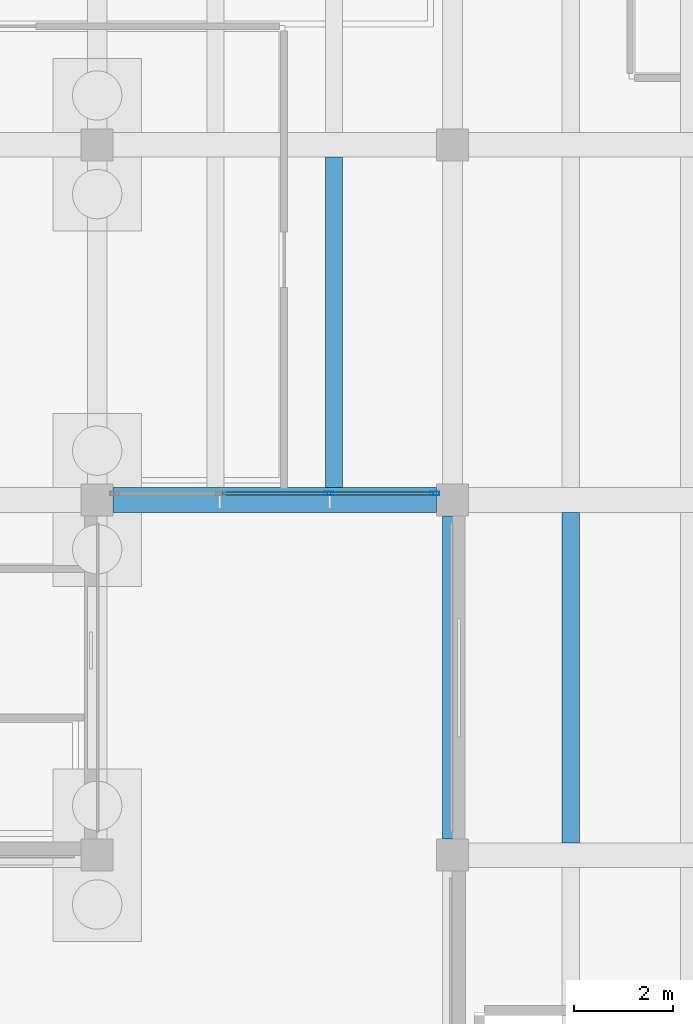
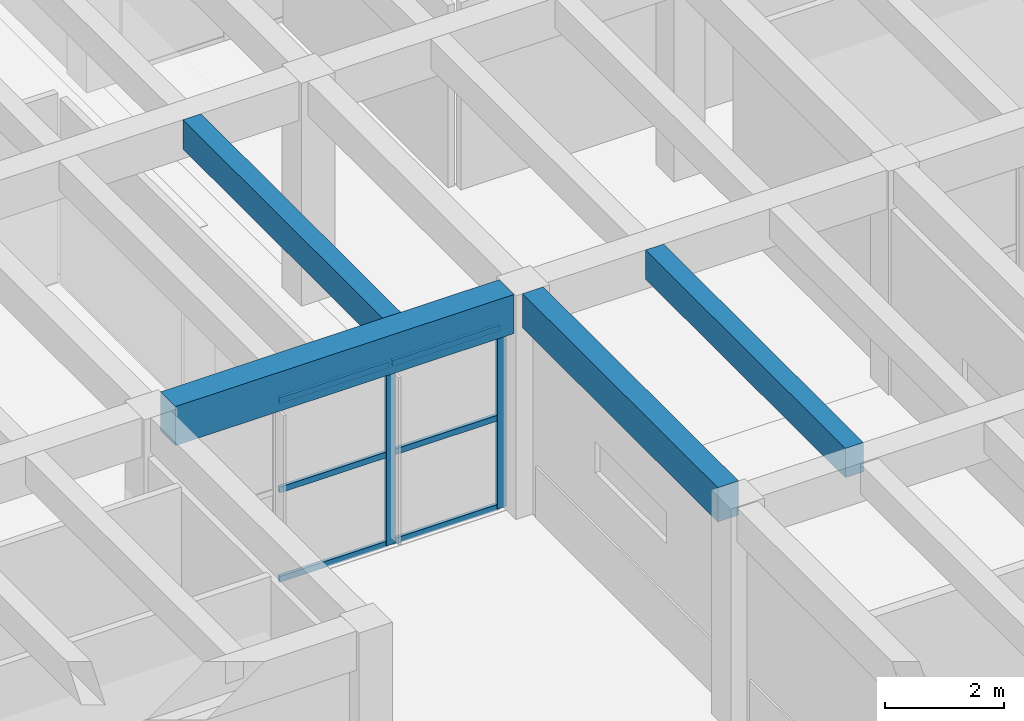
# One storey, part 68 of 155: 8 members, 4 beams, 1 element without a shape of its own.
"""IFC4 building model written with IfcOpenShell, lengths in metres."""

from ifc_helpers import new_model, si_unit, direction, frame, origin, origin_2d, place, context, subcontext, project, spatial, rectangle, hollow_rectangle, extrude, material, material_profile, profile_set, type_object, element, aggregate, save


model = new_model("IFC4")

# Units and contexts
model_context = context("Model", 3, precision=1e-05, world=origin(), true_north=direction((0.0, 1.0)))
body_context = subcontext(model_context, "Body", "Model", "MODEL_VIEW")
ifc_project = project(units=[si_unit("LENGTHUNIT", "METRE"), si_unit("AREAUNIT", "SQUARE_METRE"), si_unit("VOLUMEUNIT", "CUBIC_METRE"), si_unit("PLANEANGLEUNIT", "RADIAN"), si_unit("MASSUNIT", "GRAM", prefix="KILO")], contexts=[model_context])

# Site, building, storey
site_placement = place(None, origin())
site = spatial("IfcSite", under=ifc_project, at=site_placement, CompositionType="ELEMENT")
building_placement = place(site_placement, origin())
building = spatial("IfcBuilding", under=site, at=building_placement, Name="Bramvelor Terrace Health Centre", CompositionType="ELEMENT")
storey_placement = place(building_placement, origin())
storey = spatial("IfcBuildingStorey", under=building, at=storey_placement, Name="L01", CompositionType="ELEMENT", Elevation=0.0)

# Beams
ifc_material_1 = material(Name="Concrete C40/50", Category="concrete")
ifc_material_profile_1 = material_profile(ifc_material_1, rectangle(XDim=0.39990234375, YDim=0.699951171875, at=origin_2d()), Name="RC 400x700")
ifc_profile_set_1 = profile_set([ifc_material_profile_1], Name="Concrete C40/50")
beam_type_1 = type_object("IfcBeamType", Name="BM-RC-G700", PredefinedType="BEAM", material=ifc_profile_set_1)
beam_1_placement = place(storey_placement, frame((43.199951171875, 79.52490234375, 4.22998046875), z_axis=(0.0, 1.0, 0.0), x_axis=(-1.0, 0.0, 0.0)))
element("IfcBeam", 1, at=beam_1_placement, inside=storey, type_object=beam_type_1, Name="L01 Floor Girder", PredefinedType="BEAM", context=body_context, shape_type="SweptSolid", body=[
    extrude(rectangle(XDim=0.39990234375, YDim=0.699951171875, at=origin_2d()), origin(), (0.0, 0.0, 1.0), 6.550048828125),
])
ifc_material_2 = material(Name="Concrete C40/50", Category="concrete")
ifc_material_profile_2 = material_profile(ifc_material_2, rectangle(XDim=0.5, YDim=0.800048828125, at=origin_2d()), Name="RC 500x800")
ifc_profile_set_2 = profile_set([ifc_material_profile_2], Name="Concrete C40/50")
beam_type_2 = type_object("IfcBeamType", Name="BM-RC-G800", PredefinedType="BEAM", material=ifc_profile_set_2)
beam_2_placement = place(storey_placement, frame((36.324951171875, 86.39990234375, 4.159912109375), z_axis=(1.0, 0.0, 0.0), x_axis=(0.0, 1.0, 0.0)))
element("IfcBeam", 2, at=beam_2_placement, inside=storey, type_object=beam_type_2, Name="L01 Floor Girder", PredefinedType="BEAM", context=body_context, shape_type="SweptSolid", body=[
    extrude(rectangle(XDim=0.5, YDim=0.800048828125, at=origin_2d()), origin(), (0.0, 0.0, 1.0), 6.550048828125),
])
ifc_material_3 = material(Name="Concrete C40/50", Category="concrete")
ifc_material_profile_3 = material_profile(ifc_material_3, rectangle(XDim=0.35009765625, YDim=0.60009765625, at=origin_2d()), Name="RC 350x600")
ifc_profile_set_3 = profile_set([ifc_material_profile_3], Name="Concrete C40/50")
beam_type_3 = type_object("IfcBeamType", Name="BM-RC-J600", PredefinedType="JOIST", material=ifc_profile_set_3)
beam_3_placement = place(storey_placement, frame((40.800048828125, 86.64990234375, 4.260009765625), z_axis=(0.0, 1.0, 0.0), x_axis=(-1.0, 0.0, 0.0)))
element("IfcBeam", 3, at=beam_3_placement, inside=storey, type_object=beam_type_3, Name="L01 Secondary Floor Joist", PredefinedType="JOIST", context=body_context, shape_type="SweptSolid", body=[
    extrude(rectangle(XDim=0.35009765625, YDim=0.60009765625, at=origin_2d()), origin(), (0.0, 0.0, 1.0), 6.7001953125),
])
beam_4_placement = place(storey_placement, frame((45.60009765625, 79.449951171875, 4.280029296875), z_axis=(0.0, 1.0, 0.0), x_axis=(-1.0, 0.0, 0.0)))
element("IfcBeam", 4, at=beam_4_placement, inside=storey, type_object=beam_type_3, Name="L01 Secondary Floor Joist", PredefinedType="JOIST", context=body_context, shape_type="SweptSolid", body=[
    extrude(rectangle(XDim=0.35009765625, YDim=0.60009765625, at=origin_2d()), origin(), (0.0, 0.0, 1.0), 6.699951171875),
])

# Curtain wall, members
ifc_material_4 = material(Name="Anodized aluminium and double low-E glass", Category="aluminium")
curtain_wall_type = type_object("IfcCurtainWallType", Name="CW-SYS-02", PredefinedType="NOTDEFINED", material=ifc_material_4)
curtain_wall_placement = place(storey_placement, origin())
curtain_wall = element("IfcCurtainWall", 5, at=curtain_wall_placement, inside=storey, type_object=curtain_wall_type, Name="L01 Unitized Curtain Wall 12", PredefinedType="NOTDEFINED")
ifc_material_5 = material(Name="Anodized aluminium 6063-T6", Category="aluminium")
ifc_material_profile_4 = material_profile(ifc_material_5, hollow_rectangle(XDim=0.074951171875, YDim=0.179931640625, WallThickness=0.00341796875, at=origin_2d()), Name="ALU-MUL 75x180x3.5")
ifc_profile_set_4 = profile_set([ifc_material_profile_4], Name="Anodized aluminium 6063-T6")
member_type_1 = type_object("IfcMemberType", Name="CW-MUL-65x180", PredefinedType="MULLION", material=ifc_profile_set_4)
member_1_placement = place(storey_placement, frame((42.842529296875, 86.530029296875, 0.0), z_axis=(0.0, 0.0, 1.0), x_axis=(0.0, -1.0, 0.0)))
member_1 = element("IfcMember", 6, at=member_1_placement, type_object=member_type_1, Name="CW-02 mullion 1", PredefinedType="MULLION", context=body_context, shape_type="SweptSolid", body=[
    extrude(hollow_rectangle(XDim=0.074951171875, YDim=0.179931640625, WallThickness=0.00341796875, at=origin_2d()), origin(), (0.0, 0.0, 1.0), 3.719970703125),
])
member_2_placement = place(storey_placement, frame((40.693359375, 86.530029296875, 0.0), z_axis=(0.0, 0.0, 1.0), x_axis=(0.0, -1.0, 0.0)))
member_2 = element("IfcMember", 7, at=member_2_placement, type_object=member_type_1, Name="CW-02 mullion 2", PredefinedType="MULLION", context=body_context, shape_type="SweptSolid", body=[
    extrude(hollow_rectangle(XDim=0.074951171875, YDim=0.179931640625, WallThickness=0.00341796875, at=origin_2d()), origin(), (0.0, 0.0, 1.0), 3.719970703125),
])
ifc_material_6 = material(Name="Anodized aluminium 6063-T6", Category="aluminium")
ifc_material_profile_5 = material_profile(ifc_material_6, hollow_rectangle(XDim=0.06494140625, YDim=0.1201171875, WallThickness=0.0029296875, at=origin_2d()), Name="ALU-TRN 65x120x3.0")
ifc_profile_set_5 = profile_set([ifc_material_profile_5], Name="Anodized aluminium 6063-T6")
member_type_2 = type_object("IfcMemberType", Name="CW-TRN-65x150", PredefinedType="USERDEFINED", material=ifc_profile_set_5)
member_3_placement = place(storey_placement, frame((42.804931640625, 86.530029296875, 0.032470703125), z_axis=(-1.0, 0.0, 0.0), x_axis=(0.0, -1.0, 0.0)))
member_3 = element("IfcMember", 8, at=member_3_placement, type_object=member_type_2, Name="CW-02 transom 1.1", ObjectType="TRANSOM", PredefinedType="USERDEFINED", context=body_context, shape_type="SweptSolid", body=[
    extrude(hollow_rectangle(XDim=0.06494140625, YDim=0.1201171875, WallThickness=0.0029296875, at=origin_2d()), origin(), (0.0, 0.0, 1.0), 2.07421875),
])
member_4_placement = place(storey_placement, frame((42.804931640625, 86.530029296875, 1.860107421875), z_axis=(-1.0, 0.0, 0.0), x_axis=(0.0, -1.0, 0.0)))
member_4 = element("IfcMember", 9, at=member_4_placement, type_object=member_type_2, Name="CW-02 transom 1.2", ObjectType="TRANSOM", PredefinedType="USERDEFINED", context=body_context, shape_type="SweptSolid", body=[
    extrude(hollow_rectangle(XDim=0.06494140625, YDim=0.1201171875, WallThickness=0.0029296875, at=origin_2d()), origin(), (0.0, 0.0, 1.0), 2.07421875),
])
member_5_placement = place(storey_placement, frame((42.804931640625, 86.530029296875, 3.6875), z_axis=(-1.0, 0.0, 0.0), x_axis=(0.0, -1.0, 0.0)))
member_5 = element("IfcMember", 10, at=member_5_placement, type_object=member_type_2, Name="CW-02 transom 1.3", ObjectType="TRANSOM", PredefinedType="USERDEFINED", context=body_context, shape_type="SweptSolid", body=[
    extrude(hollow_rectangle(XDim=0.06494140625, YDim=0.1201171875, WallThickness=0.0029296875, at=origin_2d()), origin(), (0.0, 0.0, 1.0), 2.07421875),
])
member_6_placement = place(storey_placement, frame((40.65576171875, 86.530029296875, 0.032470703125), z_axis=(-1.0, 0.0, 0.0), x_axis=(0.0, -1.0, 0.0)))
member_6 = element("IfcMember", 11, at=member_6_placement, type_object=member_type_2, Name="CW-02 transom 2.1", ObjectType="TRANSOM", PredefinedType="USERDEFINED", context=body_context, shape_type="SweptSolid", body=[
    extrude(hollow_rectangle(XDim=0.06494140625, YDim=0.1201171875, WallThickness=0.0029296875, at=origin_2d()), origin(), (0.0, 0.0, 1.0), 2.111572265625),
])
member_7_placement = place(storey_placement, frame((40.65576171875, 86.530029296875, 1.860107421875), z_axis=(-1.0, 0.0, 0.0), x_axis=(0.0, -1.0, 0.0)))
member_7 = element("IfcMember", 12, at=member_7_placement, type_object=member_type_2, Name="CW-02 transom 2.2", ObjectType="TRANSOM", PredefinedType="USERDEFINED", context=body_context, shape_type="SweptSolid", body=[
    extrude(hollow_rectangle(XDim=0.06494140625, YDim=0.1201171875, WallThickness=0.0029296875, at=origin_2d()), origin(), (0.0, 0.0, 1.0), 2.111572265625),
])
member_8_placement = place(storey_placement, frame((40.65576171875, 86.530029296875, 3.6875), z_axis=(-1.0, 0.0, 0.0), x_axis=(0.0, -1.0, 0.0)))
member_8 = element("IfcMember", 13, at=member_8_placement, type_object=member_type_2, Name="CW-02 transom 2.3", ObjectType="TRANSOM", PredefinedType="USERDEFINED", context=body_context, shape_type="SweptSolid", body=[
    extrude(hollow_rectangle(XDim=0.06494140625, YDim=0.1201171875, WallThickness=0.0029296875, at=origin_2d()), origin(), (0.0, 0.0, 1.0), 2.111572265625),
])
aggregate(curtain_wall, [member_1, member_2, member_3, member_4, member_5, member_6, member_7, member_8])

save(model, "model.ifc")
